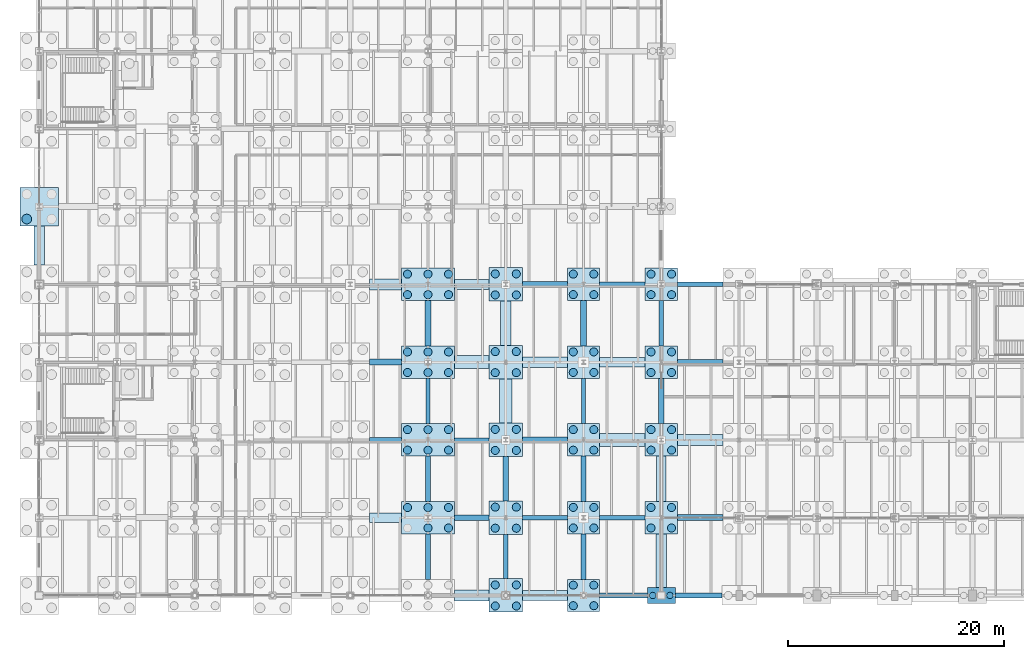
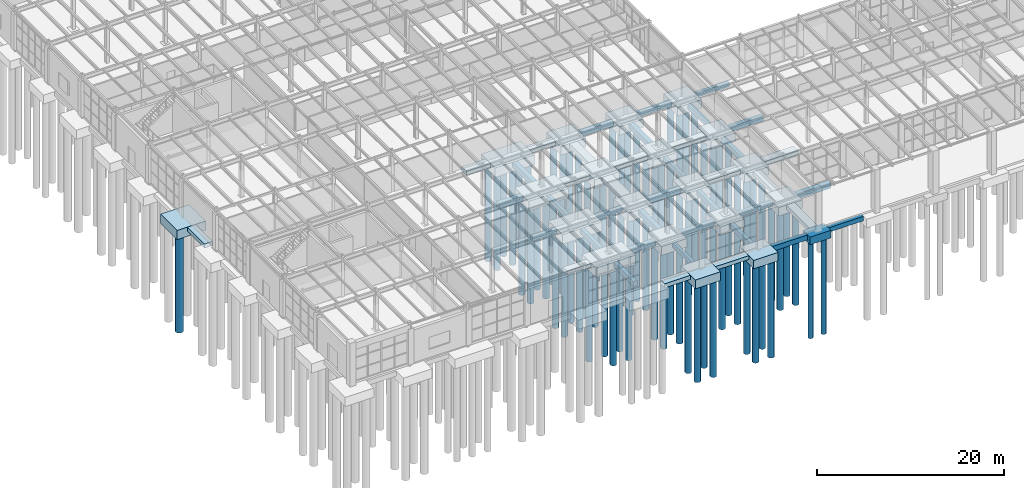
# One storey, part 2 of 293: 82 piles, 61 footings.
"""IFC4 building model written with IfcOpenShell, lengths in metres."""

from ifc_helpers import new_model, si_unit, direction, frame, origin, origin_2d, place, context, subcontext, project, spatial, rectangle, circle, extrude, material, material_profile, profile_set, type_object, element, save


model = new_model("IFC4")

# Units and contexts
model_context = context("Model", 3, precision=1e-05, world=origin(), true_north=direction((0.0, 1.0)))
body_context = subcontext(model_context, "Body", "Model", "MODEL_VIEW")
ifc_project = project(units=[si_unit("LENGTHUNIT", "METRE"), si_unit("AREAUNIT", "SQUARE_METRE"), si_unit("VOLUMEUNIT", "CUBIC_METRE"), si_unit("PLANEANGLEUNIT", "RADIAN"), si_unit("MASSUNIT", "GRAM", prefix="KILO")], contexts=[model_context])

# Site, building, storey
site_placement = place(None, origin())
site = spatial("IfcSite", under=ifc_project, at=site_placement, CompositionType="ELEMENT")
building_placement = place(site_placement, origin())
building = spatial("IfcBuilding", under=site, at=building_placement, Name="Kemerveld Promenade Tramway Depot", CompositionType="ELEMENT")
storey_placement = place(building_placement, origin())
storey = spatial("IfcBuildingStorey", under=building, at=storey_placement, Name="L00", CompositionType="ELEMENT", Elevation=0.0)

# Footings
ifc_material = material(Name="Concrete C35/45", Category="concrete")
footing_type_1 = type_object("IfcFootingType", Name="FT-GB01", PredefinedType="FOOTING_BEAM", material=ifc_material)
footing_1_placement = place(storey_placement, frame((54.10009765625, 0.0, -0.949951171875), z_axis=(0.0, 0.0, 1.0), x_axis=(1.0, 0.0, 0.0)))
element("IfcFooting", 1, at=footing_1_placement, inside=storey, type_object=footing_type_1, Name="GBX-08-09-A", PredefinedType="FOOTING_BEAM", context=body_context, shape_type="SweptSolid", body=[
    extrude(rectangle(XDim=4.39990234375, YDim=0.5, at=origin_2d()), origin(), (0.0, 0.0, 1.0), 0.64990234375),
])
footing_2_placement = place(storey_placement, frame((40.050048828125, 7.199951171875, -0.949951171875), z_axis=(0.0, 0.0, 1.0), x_axis=(1.0, 0.0, 0.0)))
element("IfcFooting", 2, at=footing_2_placement, inside=storey, type_object=footing_type_1, Name="GBX-06-07-B", PredefinedType="FOOTING_BEAM", context=body_context, shape_type="SweptSolid", body=[
    extrude(rectangle(XDim=3.199951171875, YDim=0.5, at=origin_2d()), origin(), (0.0, 0.0, 1.0), 0.64990234375),
])
footing_3_placement = place(storey_placement, frame((61.199951171875, 21.60009765625, -0.949951171875), z_axis=(0.0, 0.0, 1.0), x_axis=(1.0, 0.0, 0.0)))
element("IfcFooting", 3, at=footing_3_placement, inside=storey, type_object=footing_type_1, Name="GBX-09-10-D", PredefinedType="FOOTING_BEAM", context=body_context, shape_type="SweptSolid", body=[
    extrude(rectangle(XDim=4.199951171875, YDim=0.5, at=origin_2d()), origin(), (0.0, 0.0, 1.0), 0.64990234375),
])
footing_4_placement = place(storey_placement, frame((46.824951171875, 28.800048828125, -0.949951171875), z_axis=(0.0, 0.0, 1.0), x_axis=(1.0, 0.0, 0.0)))
element("IfcFooting", 4, at=footing_4_placement, inside=storey, type_object=footing_type_1, Name="GBX-07-08-E", PredefinedType="FOOTING_BEAM", context=body_context, shape_type="SweptSolid", body=[
    extrude(rectangle(XDim=4.14990234375, YDim=0.5, at=origin_2d()), origin(), (0.0, 0.0, 1.0), 0.64990234375),
])
for number, where, z_axis, x_axis, name in (
    (5, (36.0, 3.60009765625, -0.949951171875), (0.0, 0.0, 1.0), (0.0, 1.0, 0.0), "GBY-06-A-B"),
    (6, (50.39990234375, 3.60009765625, -0.949951171875), (0.0, 0.0, 1.0), (0.0, 1.0, 0.0), "GBY-08-A-B"),
    (7, (57.60009765625, 18.0, -0.949951171875), (0.0, 0.0, 1.0), (0.0, 1.0, 0.0), "GBY-09-C-D"),
):
    element("IfcFooting", number, at=place(storey_placement, frame(where, z_axis=z_axis, x_axis=x_axis)), inside=storey, type_object=footing_type_1, Name=name, PredefinedType="FOOTING_BEAM", context=body_context, shape_type="SweptSolid", body=[
        extrude(rectangle(XDim=4.199951171875, YDim=0.5, at=origin_2d()), origin(), (0.0, 0.0, 1.0), 0.64990234375),
    ])
footing_type_2 = type_object("IfcFootingType", Name="FT-GB02", PredefinedType="FOOTING_BEAM", material=ifc_material)
footing_5_placement = place(storey_placement, frame((61.050048828125, 0.0, -0.900146484375), z_axis=(0.0, 0.0, 1.0), x_axis=(1.0, 0.0, 0.0)))
element("IfcFooting", 8, at=footing_5_placement, inside=storey, type_object=footing_type_2, Name="GBX-09-10-A", PredefinedType="FOOTING_BEAM", context=body_context, shape_type="SweptSolid", body=[
    extrude(rectangle(XDim=4.300048828125, YDim=0.449951171875, at=origin_2d()), origin(), (0.0, 0.0, 1.0), 0.60009765625),
])
footing_6_placement = place(storey_placement, frame((46.824951171875, 7.199951171875, -0.900146484375), z_axis=(0.0, 0.0, 1.0), x_axis=(1.0, 0.0, 0.0)))
element("IfcFooting", 9, at=footing_6_placement, inside=storey, type_object=footing_type_2, Name="GBX-07-08-B", PredefinedType="FOOTING_BEAM", context=body_context, shape_type="SweptSolid", body=[
    extrude(rectangle(XDim=4.14990234375, YDim=0.449951171875, at=origin_2d()), origin(), (0.0, 0.0, 1.0), 0.60009765625),
])
footing_7_placement = place(storey_placement, frame((32.0625, 14.39990234375, -0.900146484375), z_axis=(0.0, 0.0, 1.0), x_axis=(1.0, 0.0, 0.0)))
element("IfcFooting", 10, at=footing_7_placement, inside=storey, type_object=footing_type_2, Name="GBX-05-06-C", PredefinedType="FOOTING_BEAM", context=body_context, shape_type="SweptSolid", body=[
    extrude(rectangle(XDim=2.97509765625, YDim=0.449951171875, at=origin_2d()), origin(), (0.0, 0.0, 1.0), 0.60009765625),
])
for number, where, z_axis, x_axis, name in (
    (11, (54.0, 28.800048828125, -0.900146484375), (0.0, 0.0, 1.0), (1.0, 0.0, 0.0), "GBX-08-09-E"),
    (12, (36.0, 10.800048828125, -0.900146484375), (0.0, 0.0, 1.0), (0.0, 1.0, 0.0), "GBY-06-B-C"),
    (13, (50.39990234375, 10.800048828125, -0.900146484375), (0.0, 0.0, 1.0), (0.0, 1.0, 0.0), "GBY-08-B-C"),
    (14, (57.60009765625, 25.199951171875, -0.900146484375), (0.0, 0.0, 1.0), (0.0, 1.0, 0.0), "GBY-09-D-E"),
):
    element("IfcFooting", number, at=place(storey_placement, frame(where, z_axis=z_axis, x_axis=x_axis)), inside=storey, type_object=footing_type_2, Name=name, PredefinedType="FOOTING_BEAM", context=body_context, shape_type="SweptSolid", body=[
        extrude(rectangle(XDim=4.199951171875, YDim=0.449951171875, at=origin_2d()), origin(), (0.0, 0.0, 1.0), 0.60009765625),
    ])
footing_type_3 = type_object("IfcFootingType", Name="FT-GB03", PredefinedType="FOOTING_BEAM", material=ifc_material)
footing_8_placement = place(storey_placement, frame((54.0, 7.199951171875, -0.85009765625), z_axis=(0.0, 0.0, 1.0), x_axis=(1.0, 0.0, 0.0)))
element("IfcFooting", 15, at=footing_8_placement, inside=storey, type_object=footing_type_3, Name="GBX-08-09-B", PredefinedType="FOOTING_BEAM", context=body_context, shape_type="SweptSolid", body=[
    extrude(rectangle(XDim=4.199951171875, YDim=0.39990234375, at=origin_2d()), origin(), (0.0, 0.0, 1.0), 0.550048828125),
])
footing_9_placement = place(storey_placement, frame((40.050048828125, 14.39990234375, -0.85009765625), z_axis=(0.0, 0.0, 1.0), x_axis=(1.0, 0.0, 0.0)))
element("IfcFooting", 16, at=footing_9_placement, inside=storey, type_object=footing_type_3, Name="GBX-06-07-C", PredefinedType="FOOTING_BEAM", context=body_context, shape_type="SweptSolid", body=[
    extrude(rectangle(XDim=3.199951171875, YDim=0.39990234375, at=origin_2d()), origin(), (0.0, 0.0, 1.0), 0.550048828125),
])
for number, where, z_axis, x_axis, name in (
    (17, (61.199951171875, 28.800048828125, -0.85009765625), (0.0, 0.0, 1.0), (1.0, 0.0, 0.0), "GBX-09-10-E"),
    (18, (36.0, 18.0, -0.85009765625), (0.0, 0.0, 1.0), (0.0, 1.0, 0.0), "GBY-06-C-D"),
):
    element("IfcFooting", number, at=place(storey_placement, frame(where, z_axis=z_axis, x_axis=x_axis)), inside=storey, type_object=footing_type_3, Name=name, PredefinedType="FOOTING_BEAM", context=body_context, shape_type="SweptSolid", body=[
        extrude(rectangle(XDim=4.199951171875, YDim=0.39990234375, at=origin_2d()), origin(), (0.0, 0.0, 1.0), 0.550048828125),
    ])
footing_10_placement = place(storey_placement, frame((43.199951171875, 3.60009765625, -0.85009765625), z_axis=(0.0, 0.0, 1.0), x_axis=(0.0, 1.0, 0.0)))
element("IfcFooting", 19, at=footing_10_placement, inside=storey, type_object=footing_type_3, Name="GBY-07-A-B", PredefinedType="FOOTING_BEAM", context=body_context, shape_type="SweptSolid", body=[
    extrude(rectangle(XDim=4.10009765625, YDim=0.39990234375, at=origin_2d()), origin(), (0.0, 0.0, 1.0), 0.550048828125),
])
footing_11_placement = place(storey_placement, frame((50.39990234375, 18.0, -0.85009765625), z_axis=(0.0, 0.0, 1.0), x_axis=(0.0, 1.0, 0.0)))
element("IfcFooting", 20, at=footing_11_placement, inside=storey, type_object=footing_type_3, Name="GBY-08-C-D", PredefinedType="FOOTING_BEAM", context=body_context, shape_type="SweptSolid", body=[
    extrude(rectangle(XDim=4.199951171875, YDim=0.39990234375, at=origin_2d()), origin(), (0.0, 0.0, 1.0), 0.550048828125),
])
footing_type_4 = type_object("IfcFootingType", Name="FT-GB04", PredefinedType="FOOTING_BEAM", material=ifc_material)
footing_12_placement = place(storey_placement, frame((61.199951171875, 7.199951171875, -1.0), z_axis=(0.0, 0.0, 1.0), x_axis=(1.0, 0.0, 0.0)))
element("IfcFooting", 21, at=footing_12_placement, inside=storey, type_object=footing_type_4, Name="GBX-09-10-B", PredefinedType="FOOTING_BEAM", context=body_context, shape_type="SweptSolid", body=[
    extrude(rectangle(XDim=4.199951171875, YDim=0.550048828125, at=origin_2d()), origin(), (0.0, 0.0, 1.0), 0.699951171875),
])
footing_13_placement = place(storey_placement, frame((46.824951171875, 14.39990234375, -1.0), z_axis=(0.0, 0.0, 1.0), x_axis=(1.0, 0.0, 0.0)))
element("IfcFooting", 22, at=footing_13_placement, inside=storey, type_object=footing_type_4, Name="GBX-07-08-C", PredefinedType="FOOTING_BEAM", context=body_context, shape_type="SweptSolid", body=[
    extrude(rectangle(XDim=4.14990234375, YDim=0.550048828125, at=origin_2d()), origin(), (0.0, 0.0, 1.0), 0.699951171875),
])
footing_14_placement = place(storey_placement, frame((32.0625, 21.60009765625, -1.0), z_axis=(0.0, 0.0, 1.0), x_axis=(1.0, 0.0, 0.0)))
element("IfcFooting", 23, at=footing_14_placement, inside=storey, type_object=footing_type_4, Name="GBX-05-06-D", PredefinedType="FOOTING_BEAM", context=body_context, shape_type="SweptSolid", body=[
    extrude(rectangle(XDim=2.97509765625, YDim=0.550048828125, at=origin_2d()), origin(), (0.0, 0.0, 1.0), 0.699951171875),
])
footing_15_placement = place(storey_placement, frame((36.0, 25.199951171875, -1.0), z_axis=(0.0, 0.0, 1.0), x_axis=(0.0, 1.0, 0.0)))
element("IfcFooting", 24, at=footing_15_placement, inside=storey, type_object=footing_type_4, Name="GBY-06-D-E", PredefinedType="FOOTING_BEAM", context=body_context, shape_type="SweptSolid", body=[
    extrude(rectangle(XDim=4.199951171875, YDim=0.550048828125, at=origin_2d()), origin(), (0.0, 0.0, 1.0), 0.699951171875),
])
footing_16_placement = place(storey_placement, frame((43.199951171875, 10.800048828125, -1.0), z_axis=(0.0, 0.0, 1.0), x_axis=(0.0, 1.0, 0.0)))
element("IfcFooting", 25, at=footing_16_placement, inside=storey, type_object=footing_type_4, Name="GBY-07-B-C", PredefinedType="FOOTING_BEAM", context=body_context, shape_type="SweptSolid", body=[
    extrude(rectangle(XDim=4.10009765625, YDim=0.550048828125, at=origin_2d()), origin(), (0.0, 0.0, 1.0), 0.699951171875),
])
footing_17_placement = place(storey_placement, frame((50.39990234375, 25.199951171875, -1.0), z_axis=(0.0, 0.0, 1.0), x_axis=(0.0, 1.0, 0.0)))
element("IfcFooting", 26, at=footing_17_placement, inside=storey, type_object=footing_type_4, Name="GBY-08-D-E", PredefinedType="FOOTING_BEAM", context=body_context, shape_type="SweptSolid", body=[
    extrude(rectangle(XDim=4.199951171875, YDim=0.550048828125, at=origin_2d()), origin(), (0.0, 0.0, 1.0), 0.699951171875),
])
footing_type_5 = type_object("IfcFootingType", Name="FT-PC03", PredefinedType="PILE_CAP", material=ifc_material)
footing_18_placement = place(storey_placement, frame((0.0, 36.0, -1.5), z_axis=(0.0, 0.0, 1.0), x_axis=(1.0, 0.0, 0.0)))
element("IfcFooting", 27, at=footing_18_placement, inside=storey, type_object=footing_type_5, Name="FT-01-F", PredefinedType="PILE_CAP", context=body_context, shape_type="SweptSolid", body=[
    extrude(rectangle(XDim=3.550048828125, YDim=3.550048828125, at=origin_2d()), origin(), (0.0, 0.0, 1.0), 1.199951171875),
])
footing_type_6 = type_object("IfcFootingType", Name="FT-PC04", PredefinedType="PILE_CAP", material=ifc_material)
for number, where, z_axis, x_axis, name in (
    (28, (43.199951171875, 0.0, -1.449951171875), (0.0, 0.0, 1.0), (1.0, 0.0, 0.0), "FT-07-A"),
    (29, (43.199951171875, 7.199951171875, -1.449951171875), (0.0, 0.0, 1.0), (1.0, 0.0, 0.0), "FT-07-B"),
    (30, (43.199951171875, 14.39990234375, -1.449951171875), (0.0, 0.0, 1.0), (1.0, 0.0, 0.0), "FT-07-C"),
    (31, (43.199951171875, 21.60009765625, -1.449951171875), (0.0, 0.0, 1.0), (1.0, 0.0, 0.0), "FT-07-D"),
    (32, (43.199951171875, 28.800048828125, -1.449951171875), (0.0, 0.0, 1.0), (1.0, 0.0, 0.0), "FT-07-E"),
):
    element("IfcFooting", number, at=place(storey_placement, frame(where, z_axis=z_axis, x_axis=x_axis)), inside=storey, type_object=footing_type_6, Name=name, PredefinedType="PILE_CAP", context=body_context, shape_type="SweptSolid", body=[
        extrude(rectangle(XDim=3.10009765625, YDim=3.10009765625, at=origin_2d()), origin(), (0.0, 0.0, 1.0), 1.14990234375),
    ])
footing_type_7 = type_object("IfcFootingType", Name="FT-PC05", PredefinedType="PILE_CAP", material=ifc_material)
for number, where, z_axis, x_axis, name in (
    (33, (50.39990234375, 0.0, -1.400146484375), (0.0, 0.0, 1.0), (1.0, 0.0, 0.0), "FT-08-A"),
    (34, (50.39990234375, 7.199951171875, -1.400146484375), (0.0, 0.0, 1.0), (1.0, 0.0, 0.0), "FT-08-B"),
    (35, (50.39990234375, 14.39990234375, -1.400146484375), (0.0, 0.0, 1.0), (1.0, 0.0, 0.0), "FT-08-C"),
    (36, (50.39990234375, 21.60009765625, -1.400146484375), (0.0, 0.0, 1.0), (1.0, 0.0, 0.0), "FT-08-D"),
    (37, (50.39990234375, 28.800048828125, -1.400146484375), (0.0, 0.0, 1.0), (1.0, 0.0, 0.0), "FT-08-E"),
    (38, (57.60009765625, 7.199951171875, -1.400146484375), (0.0, 0.0, 1.0), (1.0, 0.0, 0.0), "FT-09-B"),
    (39, (57.60009765625, 14.39990234375, -1.400146484375), (0.0, 0.0, 1.0), (1.0, 0.0, 0.0), "FT-09-C"),
    (40, (57.60009765625, 21.60009765625, -1.400146484375), (0.0, 0.0, 1.0), (1.0, 0.0, 0.0), "FT-09-D"),
    (41, (57.60009765625, 28.800048828125, -1.400146484375), (0.0, 0.0, 1.0), (1.0, 0.0, 0.0), "FT-09-E"),
):
    element("IfcFooting", number, at=place(storey_placement, frame(where, z_axis=z_axis, x_axis=x_axis)), inside=storey, type_object=footing_type_7, Name=name, PredefinedType="PILE_CAP", context=body_context, shape_type="SweptSolid", body=[
        extrude(rectangle(XDim=3.0, YDim=3.0, at=origin_2d()), origin(), (0.0, 0.0, 1.0), 1.10009765625),
    ])
footing_type_8 = type_object("IfcFootingType", Name="FT-PC08", PredefinedType="PILE_CAP", material=ifc_material)
footing_19_placement = place(storey_placement, frame((57.60009765625, 0.0, -1.300048828125), z_axis=(0.0, 0.0, 1.0), x_axis=(1.0, 0.0, 0.0)))
element("IfcFooting", 42, at=footing_19_placement, inside=storey, type_object=footing_type_8, Name="FT-09-A", PredefinedType="PILE_CAP", context=body_context, shape_type="SweptSolid", body=[
    extrude(rectangle(XDim=2.60009765625, YDim=1.5, at=origin_2d()), origin(), (0.0, 0.0, 1.0), 1.0),
])
footing_type_9 = type_object("IfcFootingType", Name="FT-PC10", PredefinedType="PILE_CAP", material=ifc_material)
for number, where, z_axis, x_axis, name in (
    (43, (36.0, 7.199951171875, -1.550048828125), (0.0, 0.0, 1.0), (1.0, 0.0, 0.0), "FT-06-B"),
    (44, (36.0, 14.39990234375, -1.550048828125), (0.0, 0.0, 1.0), (1.0, 0.0, 0.0), "FT-06-C"),
    (45, (36.0, 21.60009765625, -1.550048828125), (0.0, 0.0, 1.0), (1.0, 0.0, 0.0), "FT-06-D"),
    (46, (36.0, 28.800048828125, -1.550048828125), (0.0, 0.0, 1.0), (1.0, 0.0, 0.0), "FT-06-E"),
):
    element("IfcFooting", number, at=place(storey_placement, frame(where, z_axis=z_axis, x_axis=x_axis)), inside=storey, type_object=footing_type_9, Name=name, PredefinedType="PILE_CAP", context=body_context, shape_type="SweptSolid", body=[
        extrude(rectangle(XDim=4.89990234375, YDim=3.0, at=origin_2d()), origin(), (0.0, 0.0, 1.0), 1.25),
    ])
footing_type_10 = type_object("IfcFootingType", Name="FT-SF01", PredefinedType="STRIP_FOOTING", material=ifc_material)
footing_20_placement = place(storey_placement, frame((54.0, 14.39990234375, -0.900146484375), z_axis=(0.0, 0.0, 1.0), x_axis=(1.0, 0.0, 0.0)))
element("IfcFooting", 47, at=footing_20_placement, inside=storey, type_object=footing_type_10, Name="GBX-08-09-C", PredefinedType="STRIP_FOOTING", context=body_context, shape_type="SweptSolid", body=[
    extrude(rectangle(XDim=4.199951171875, YDim=1.199951171875, at=origin_2d()), origin(), (0.0, 0.0, 1.0), 0.60009765625),
])
footing_21_placement = place(storey_placement, frame((40.050048828125, 21.60009765625, -0.900146484375), z_axis=(0.0, 0.0, 1.0), x_axis=(1.0, 0.0, 0.0)))
element("IfcFooting", 48, at=footing_21_placement, inside=storey, type_object=footing_type_10, Name="GBX-06-07-D", PredefinedType="STRIP_FOOTING", context=body_context, shape_type="SweptSolid", body=[
    extrude(rectangle(XDim=3.199951171875, YDim=1.199951171875, at=origin_2d()), origin(), (0.0, 0.0, 1.0), 0.60009765625),
])
footing_22_placement = place(storey_placement, frame((43.199951171875, 18.0, -0.900146484375), z_axis=(0.0, 0.0, 1.0), x_axis=(0.0, 1.0, 0.0)))
element("IfcFooting", 49, at=footing_22_placement, inside=storey, type_object=footing_type_10, Name="GBY-07-C-D", PredefinedType="STRIP_FOOTING", context=body_context, shape_type="SweptSolid", body=[
    extrude(rectangle(XDim=4.10009765625, YDim=1.199951171875, at=origin_2d()), origin(), (0.0, 0.0, 1.0), 0.60009765625),
])
footing_type_11 = type_object("IfcFootingType", Name="FT-SF02", PredefinedType="STRIP_FOOTING", material=ifc_material)
footing_23_placement = place(storey_placement, frame((40.050048828125, 0.0, -0.85009765625), z_axis=(0.0, 0.0, 1.0), x_axis=(1.0, 0.0, 0.0)))
element("IfcFooting", 50, at=footing_23_placement, inside=storey, type_object=footing_type_11, Name="GBX-06-07-A", PredefinedType="STRIP_FOOTING", context=body_context, shape_type="SweptSolid", body=[
    extrude(rectangle(XDim=3.199951171875, YDim=1.0, at=origin_2d()), origin(), (0.0, 0.0, 1.0), 0.550048828125),
])
footing_24_placement = place(storey_placement, frame((61.199951171875, 14.39990234375, -0.85009765625), z_axis=(0.0, 0.0, 1.0), x_axis=(1.0, 0.0, 0.0)))
element("IfcFooting", 51, at=footing_24_placement, inside=storey, type_object=footing_type_11, Name="GBX-09-10-C", PredefinedType="STRIP_FOOTING", context=body_context, shape_type="SweptSolid", body=[
    extrude(rectangle(XDim=4.199951171875, YDim=1.0, at=origin_2d()), origin(), (0.0, 0.0, 1.0), 0.550048828125),
])
footing_25_placement = place(storey_placement, frame((46.824951171875, 21.60009765625, -0.85009765625), z_axis=(0.0, 0.0, 1.0), x_axis=(1.0, 0.0, 0.0)))
element("IfcFooting", 52, at=footing_25_placement, inside=storey, type_object=footing_type_11, Name="GBX-07-08-D", PredefinedType="STRIP_FOOTING", context=body_context, shape_type="SweptSolid", body=[
    extrude(rectangle(XDim=4.14990234375, YDim=1.0, at=origin_2d()), origin(), (0.0, 0.0, 1.0), 0.550048828125),
])
footing_26_placement = place(storey_placement, frame((32.0625, 28.800048828125, -0.85009765625), z_axis=(0.0, 0.0, 1.0), x_axis=(1.0, 0.0, 0.0)))
element("IfcFooting", 53, at=footing_26_placement, inside=storey, type_object=footing_type_11, Name="GBX-05-06-E", PredefinedType="STRIP_FOOTING", context=body_context, shape_type="SweptSolid", body=[
    extrude(rectangle(XDim=2.97509765625, YDim=1.0, at=origin_2d()), origin(), (0.0, 0.0, 1.0), 0.550048828125),
])
footing_27_placement = place(storey_placement, frame((0.0, 32.39990234375, -0.85009765625), z_axis=(0.0, 0.0, 1.0), x_axis=(0.0, 1.0, 0.0)))
element("IfcFooting", 54, at=footing_27_placement, inside=storey, type_object=footing_type_11, Name="GBY-01-E-F", PredefinedType="STRIP_FOOTING", context=body_context, shape_type="SweptSolid", body=[
    extrude(rectangle(XDim=3.64990234375, YDim=1.0, at=origin_2d()), origin(), (0.0, 0.0, 1.0), 0.550048828125),
])
footing_28_placement = place(storey_placement, frame((43.199951171875, 25.199951171875, -0.85009765625), z_axis=(0.0, 0.0, 1.0), x_axis=(0.0, 1.0, 0.0)))
element("IfcFooting", 55, at=footing_28_placement, inside=storey, type_object=footing_type_11, Name="GBY-07-D-E", PredefinedType="STRIP_FOOTING", context=body_context, shape_type="SweptSolid", body=[
    extrude(rectangle(XDim=4.10009765625, YDim=1.0, at=origin_2d()), origin(), (0.0, 0.0, 1.0), 0.550048828125),
])
footing_29_placement = place(storey_placement, frame((57.60009765625, 3.22509765625, -0.85009765625), z_axis=(0.0, 0.0, 1.0), x_axis=(0.0, 1.0, 0.0)))
element("IfcFooting", 56, at=footing_29_placement, inside=storey, type_object=footing_type_11, Name="GBY-09-A-B", PredefinedType="STRIP_FOOTING", context=body_context, shape_type="SweptSolid", body=[
    extrude(rectangle(XDim=4.949951171875, YDim=1.0, at=origin_2d()), origin(), (0.0, 0.0, 1.0), 0.550048828125),
])
footing_type_12 = type_object("IfcFootingType", Name="FT-SF03", PredefinedType="STRIP_FOOTING", material=ifc_material)
footing_30_placement = place(storey_placement, frame((46.824951171875, 0.0, -0.800048828125), z_axis=(0.0, 0.0, 1.0), x_axis=(1.0, 0.0, 0.0)))
element("IfcFooting", 57, at=footing_30_placement, inside=storey, type_object=footing_type_12, Name="GBX-07-08-A", PredefinedType="STRIP_FOOTING", context=body_context, shape_type="SweptSolid", body=[
    extrude(rectangle(XDim=4.14990234375, YDim=0.89990234375, at=origin_2d()), origin(), (0.0, 0.0, 1.0), 0.5),
])
footing_31_placement = place(storey_placement, frame((32.0625, 7.199951171875, -0.800048828125), z_axis=(0.0, 0.0, 1.0), x_axis=(1.0, 0.0, 0.0)))
element("IfcFooting", 58, at=footing_31_placement, inside=storey, type_object=footing_type_12, Name="GBX-05-06-B", PredefinedType="STRIP_FOOTING", context=body_context, shape_type="SweptSolid", body=[
    extrude(rectangle(XDim=2.97509765625, YDim=0.89990234375, at=origin_2d()), origin(), (0.0, 0.0, 1.0), 0.5),
])
footing_32_placement = place(storey_placement, frame((54.0, 21.60009765625, -0.800048828125), z_axis=(0.0, 0.0, 1.0), x_axis=(1.0, 0.0, 0.0)))
element("IfcFooting", 59, at=footing_32_placement, inside=storey, type_object=footing_type_12, Name="GBX-08-09-D", PredefinedType="STRIP_FOOTING", context=body_context, shape_type="SweptSolid", body=[
    extrude(rectangle(XDim=4.199951171875, YDim=0.89990234375, at=origin_2d()), origin(), (0.0, 0.0, 1.0), 0.5),
])
footing_33_placement = place(storey_placement, frame((40.050048828125, 28.800048828125, -0.800048828125), z_axis=(0.0, 0.0, 1.0), x_axis=(1.0, 0.0, 0.0)))
element("IfcFooting", 60, at=footing_33_placement, inside=storey, type_object=footing_type_12, Name="GBX-06-07-E", PredefinedType="STRIP_FOOTING", context=body_context, shape_type="SweptSolid", body=[
    extrude(rectangle(XDim=3.199951171875, YDim=0.89990234375, at=origin_2d()), origin(), (0.0, 0.0, 1.0), 0.5),
])
footing_34_placement = place(storey_placement, frame((57.60009765625, 10.800048828125, -0.800048828125), z_axis=(0.0, 0.0, 1.0), x_axis=(0.0, 1.0, 0.0)))
element("IfcFooting", 61, at=footing_34_placement, inside=storey, type_object=footing_type_12, Name="GBY-09-B-C", PredefinedType="STRIP_FOOTING", context=body_context, shape_type="SweptSolid", body=[
    extrude(rectangle(XDim=4.199951171875, YDim=0.89990234375, at=origin_2d()), origin(), (0.0, 0.0, 1.0), 0.5),
])

# Piles
ifc_material_profile_1 = material_profile(ifc_material, circle(Radius=0.300048828125, at=origin_2d()), Name="PILE-D600")
ifc_profile_set_1 = profile_set([ifc_material_profile_1], Name="Concrete C35/45")
pile_type_1 = type_object("IfcPileType", Name="PL-BOR-600", PredefinedType="BORED", material=ifc_profile_set_1)
for number, where, z_axis, x_axis, name in (
    (62, (56.800048828125, 0.0, -1.199951171875), (0.0, 0.0, -1.0), (1.0, 0.0, 0.0), "PIL-09-A-1"),
    (63, (58.39990234375, 0.0, -1.199951171875), (0.0, 0.0, -1.0), (1.0, 0.0, 0.0), "PIL-09-A-2"),
):
    element("IfcPile", number, at=place(storey_placement, frame(where, z_axis=z_axis, x_axis=x_axis)), inside=storey, type_object=pile_type_1, Name=name, PredefinedType="BORED", context=body_context, shape_type="SweptSolid", body=[
        extrude(circle(Radius=0.300048828125, at=origin_2d()), origin(), (0.0, 0.0, 1.0), 12.800048828125),
    ])
ifc_material_profile_2 = material_profile(ifc_material, circle(Radius=0.375, at=origin_2d()), Name="PILE-D750")
ifc_profile_set_2 = profile_set([ifc_material_profile_2], Name="Concrete C35/45")
pile_type_2 = type_object("IfcPileType", Name="PL-BOR-750", PredefinedType="BORED", material=ifc_profile_set_2)
for number, where, z_axis, x_axis, name in (
    (64, (36.0, 6.25, -1.449951171875), (0.0, 0.0, -1.0), (1.0, 0.0, 0.0), "PIL-06-B-2"),
    (65, (37.89990234375, 6.25, -1.449951171875), (0.0, 0.0, -1.0), (1.0, 0.0, 0.0), "PIL-06-B-3"),
    (66, (34.10009765625, 8.14990234375, -1.449951171875), (0.0, 0.0, -1.0), (1.0, 0.0, 0.0), "PIL-06-B-4"),
    (67, (36.0, 8.14990234375, -1.449951171875), (0.0, 0.0, -1.0), (1.0, 0.0, 0.0), "PIL-06-B-5"),
    (68, (37.89990234375, 8.14990234375, -1.449951171875), (0.0, 0.0, -1.0), (1.0, 0.0, 0.0), "PIL-06-B-6"),
    (69, (34.10009765625, 13.449951171875, -1.449951171875), (0.0, 0.0, -1.0), (1.0, 0.0, 0.0), "PIL-06-C-1"),
    (70, (36.0, 13.449951171875, -1.449951171875), (0.0, 0.0, -1.0), (1.0, 0.0, 0.0), "PIL-06-C-2"),
    (71, (37.89990234375, 13.449951171875, -1.449951171875), (0.0, 0.0, -1.0), (1.0, 0.0, 0.0), "PIL-06-C-3"),
    (72, (34.10009765625, 15.35009765625, -1.449951171875), (0.0, 0.0, -1.0), (1.0, 0.0, 0.0), "PIL-06-C-4"),
    (73, (36.0, 15.35009765625, -1.449951171875), (0.0, 0.0, -1.0), (1.0, 0.0, 0.0), "PIL-06-C-5"),
    (74, (37.89990234375, 15.35009765625, -1.449951171875), (0.0, 0.0, -1.0), (1.0, 0.0, 0.0), "PIL-06-C-6"),
    (75, (34.10009765625, 20.64990234375, -1.449951171875), (0.0, 0.0, -1.0), (1.0, 0.0, 0.0), "PIL-06-D-1"),
    (76, (36.0, 20.64990234375, -1.449951171875), (0.0, 0.0, -1.0), (1.0, 0.0, 0.0), "PIL-06-D-2"),
    (77, (37.89990234375, 20.64990234375, -1.449951171875), (0.0, 0.0, -1.0), (1.0, 0.0, 0.0), "PIL-06-D-3"),
    (78, (34.10009765625, 22.550048828125, -1.449951171875), (0.0, 0.0, -1.0), (1.0, 0.0, 0.0), "PIL-06-D-4"),
    (79, (36.0, 22.550048828125, -1.449951171875), (0.0, 0.0, -1.0), (1.0, 0.0, 0.0), "PIL-06-D-5"),
    (80, (37.89990234375, 22.550048828125, -1.449951171875), (0.0, 0.0, -1.0), (1.0, 0.0, 0.0), "PIL-06-D-6"),
    (81, (34.10009765625, 27.85009765625, -1.449951171875), (0.0, 0.0, -1.0), (1.0, 0.0, 0.0), "PIL-06-E-1"),
    (82, (36.0, 27.85009765625, -1.449951171875), (0.0, 0.0, -1.0), (1.0, 0.0, 0.0), "PIL-06-E-2"),
    (83, (37.89990234375, 27.85009765625, -1.449951171875), (0.0, 0.0, -1.0), (1.0, 0.0, 0.0), "PIL-06-E-3"),
    (84, (34.10009765625, 29.75, -1.449951171875), (0.0, 0.0, -1.0), (1.0, 0.0, 0.0), "PIL-06-E-4"),
    (85, (36.0, 29.75, -1.449951171875), (0.0, 0.0, -1.0), (1.0, 0.0, 0.0), "PIL-06-E-5"),
    (86, (37.89990234375, 29.75, -1.449951171875), (0.0, 0.0, -1.0), (1.0, 0.0, 0.0), "PIL-06-E-6"),
):
    element("IfcPile", number, at=place(storey_placement, frame(where, z_axis=z_axis, x_axis=x_axis)), inside=storey, type_object=pile_type_2, Name=name, PredefinedType="BORED", context=body_context, shape_type="SweptSolid", body=[
        extrude(circle(Radius=0.375, at=origin_2d()), origin(), (0.0, 0.0, 1.0), 12.550048828125),
    ])
for number, where, z_axis, x_axis, name in (
    (87, (42.22509765625, -0.97509765625, -1.35009765625), (0.0, 0.0, -1.0), (1.0, 0.0, 0.0), "PIL-07-A-1"),
    (88, (44.175048828125, -0.97509765625, -1.35009765625), (0.0, 0.0, -1.0), (1.0, 0.0, 0.0), "PIL-07-A-2"),
    (89, (42.22509765625, 0.97509765625, -1.35009765625), (0.0, 0.0, -1.0), (1.0, 0.0, 0.0), "PIL-07-A-3"),
    (90, (44.175048828125, 0.97509765625, -1.35009765625), (0.0, 0.0, -1.0), (1.0, 0.0, 0.0), "PIL-07-A-4"),
    (91, (42.22509765625, 6.22509765625, -1.35009765625), (0.0, 0.0, -1.0), (1.0, 0.0, 0.0), "PIL-07-B-1"),
    (92, (44.175048828125, 6.22509765625, -1.35009765625), (0.0, 0.0, -1.0), (1.0, 0.0, 0.0), "PIL-07-B-2"),
    (93, (42.22509765625, 8.175048828125, -1.35009765625), (0.0, 0.0, -1.0), (1.0, 0.0, 0.0), "PIL-07-B-3"),
    (94, (44.175048828125, 8.175048828125, -1.35009765625), (0.0, 0.0, -1.0), (1.0, 0.0, 0.0), "PIL-07-B-4"),
    (95, (42.22509765625, 13.425048828125, -1.35009765625), (0.0, 0.0, -1.0), (1.0, 0.0, 0.0), "PIL-07-C-1"),
    (96, (44.175048828125, 13.425048828125, -1.35009765625), (0.0, 0.0, -1.0), (1.0, 0.0, 0.0), "PIL-07-C-2"),
    (97, (42.22509765625, 15.375, -1.35009765625), (0.0, 0.0, -1.0), (1.0, 0.0, 0.0), "PIL-07-C-3"),
    (98, (44.175048828125, 15.375, -1.35009765625), (0.0, 0.0, -1.0), (1.0, 0.0, 0.0), "PIL-07-C-4"),
    (99, (42.22509765625, 20.625, -1.35009765625), (0.0, 0.0, -1.0), (1.0, 0.0, 0.0), "PIL-07-D-1"),
    (100, (44.175048828125, 20.625, -1.35009765625), (0.0, 0.0, -1.0), (1.0, 0.0, 0.0), "PIL-07-D-2"),
    (101, (42.22509765625, 22.574951171875, -1.35009765625), (0.0, 0.0, -1.0), (1.0, 0.0, 0.0), "PIL-07-D-3"),
    (102, (44.175048828125, 22.574951171875, -1.35009765625), (0.0, 0.0, -1.0), (1.0, 0.0, 0.0), "PIL-07-D-4"),
    (103, (42.22509765625, 27.824951171875, -1.35009765625), (0.0, 0.0, -1.0), (1.0, 0.0, 0.0), "PIL-07-E-1"),
    (104, (44.175048828125, 27.824951171875, -1.35009765625), (0.0, 0.0, -1.0), (1.0, 0.0, 0.0), "PIL-07-E-2"),
    (105, (42.22509765625, 29.77490234375, -1.35009765625), (0.0, 0.0, -1.0), (1.0, 0.0, 0.0), "PIL-07-E-3"),
    (106, (44.175048828125, 29.77490234375, -1.35009765625), (0.0, 0.0, -1.0), (1.0, 0.0, 0.0), "PIL-07-E-4"),
):
    element("IfcPile", number, at=place(storey_placement, frame(where, z_axis=z_axis, x_axis=x_axis)), inside=storey, type_object=pile_type_2, Name=name, PredefinedType="BORED", context=body_context, shape_type="SweptSolid", body=[
        extrude(circle(Radius=0.375, at=origin_2d()), origin(), (0.0, 0.0, 1.0), 12.64990234375),
    ])
for number, where, z_axis, x_axis, name in (
    (107, (49.449951171875, -0.949951171875, -1.300048828125), (0.0, 0.0, -1.0), (1.0, 0.0, 0.0), "PIL-08-A-1"),
    (108, (51.35009765625, -0.949951171875, -1.300048828125), (0.0, 0.0, -1.0), (1.0, 0.0, 0.0), "PIL-08-A-2"),
    (109, (49.449951171875, 0.949951171875, -1.300048828125), (0.0, 0.0, -1.0), (1.0, 0.0, 0.0), "PIL-08-A-3"),
    (110, (51.35009765625, 0.949951171875, -1.300048828125), (0.0, 0.0, -1.0), (1.0, 0.0, 0.0), "PIL-08-A-4"),
    (111, (49.449951171875, 6.25, -1.300048828125), (0.0, 0.0, -1.0), (1.0, 0.0, 0.0), "PIL-08-B-1"),
    (112, (51.35009765625, 6.25, -1.300048828125), (0.0, 0.0, -1.0), (1.0, 0.0, 0.0), "PIL-08-B-2"),
    (113, (49.449951171875, 8.14990234375, -1.300048828125), (0.0, 0.0, -1.0), (1.0, 0.0, 0.0), "PIL-08-B-3"),
    (114, (51.35009765625, 8.14990234375, -1.300048828125), (0.0, 0.0, -1.0), (1.0, 0.0, 0.0), "PIL-08-B-4"),
    (115, (49.449951171875, 13.449951171875, -1.300048828125), (0.0, 0.0, -1.0), (1.0, 0.0, 0.0), "PIL-08-C-1"),
    (116, (51.35009765625, 13.449951171875, -1.300048828125), (0.0, 0.0, -1.0), (1.0, 0.0, 0.0), "PIL-08-C-2"),
    (117, (49.449951171875, 15.35009765625, -1.300048828125), (0.0, 0.0, -1.0), (1.0, 0.0, 0.0), "PIL-08-C-3"),
    (118, (51.35009765625, 15.35009765625, -1.300048828125), (0.0, 0.0, -1.0), (1.0, 0.0, 0.0), "PIL-08-C-4"),
    (119, (49.449951171875, 20.64990234375, -1.300048828125), (0.0, 0.0, -1.0), (1.0, 0.0, 0.0), "PIL-08-D-1"),
    (120, (51.35009765625, 20.64990234375, -1.300048828125), (0.0, 0.0, -1.0), (1.0, 0.0, 0.0), "PIL-08-D-2"),
    (121, (49.449951171875, 22.550048828125, -1.300048828125), (0.0, 0.0, -1.0), (1.0, 0.0, 0.0), "PIL-08-D-3"),
    (122, (51.35009765625, 22.550048828125, -1.300048828125), (0.0, 0.0, -1.0), (1.0, 0.0, 0.0), "PIL-08-D-4"),
    (123, (49.449951171875, 27.85009765625, -1.300048828125), (0.0, 0.0, -1.0), (1.0, 0.0, 0.0), "PIL-08-E-1"),
    (124, (51.35009765625, 27.85009765625, -1.300048828125), (0.0, 0.0, -1.0), (1.0, 0.0, 0.0), "PIL-08-E-2"),
    (125, (49.449951171875, 29.75, -1.300048828125), (0.0, 0.0, -1.0), (1.0, 0.0, 0.0), "PIL-08-E-3"),
    (126, (51.35009765625, 29.75, -1.300048828125), (0.0, 0.0, -1.0), (1.0, 0.0, 0.0), "PIL-08-E-4"),
    (127, (56.64990234375, 6.25, -1.300048828125), (0.0, 0.0, -1.0), (1.0, 0.0, 0.0), "PIL-09-B-1"),
    (128, (58.550048828125, 6.25, -1.300048828125), (0.0, 0.0, -1.0), (1.0, 0.0, 0.0), "PIL-09-B-2"),
    (129, (56.64990234375, 8.14990234375, -1.300048828125), (0.0, 0.0, -1.0), (1.0, 0.0, 0.0), "PIL-09-B-3"),
    (130, (58.550048828125, 8.14990234375, -1.300048828125), (0.0, 0.0, -1.0), (1.0, 0.0, 0.0), "PIL-09-B-4"),
    (131, (56.64990234375, 13.449951171875, -1.300048828125), (0.0, 0.0, -1.0), (1.0, 0.0, 0.0), "PIL-09-C-1"),
    (132, (58.550048828125, 13.449951171875, -1.300048828125), (0.0, 0.0, -1.0), (1.0, 0.0, 0.0), "PIL-09-C-2"),
    (133, (56.64990234375, 15.35009765625, -1.300048828125), (0.0, 0.0, -1.0), (1.0, 0.0, 0.0), "PIL-09-C-3"),
    (134, (58.550048828125, 15.35009765625, -1.300048828125), (0.0, 0.0, -1.0), (1.0, 0.0, 0.0), "PIL-09-C-4"),
    (135, (56.64990234375, 20.64990234375, -1.300048828125), (0.0, 0.0, -1.0), (1.0, 0.0, 0.0), "PIL-09-D-1"),
    (136, (58.550048828125, 20.64990234375, -1.300048828125), (0.0, 0.0, -1.0), (1.0, 0.0, 0.0), "PIL-09-D-2"),
    (137, (56.64990234375, 22.550048828125, -1.300048828125), (0.0, 0.0, -1.0), (1.0, 0.0, 0.0), "PIL-09-D-3"),
    (138, (58.550048828125, 22.550048828125, -1.300048828125), (0.0, 0.0, -1.0), (1.0, 0.0, 0.0), "PIL-09-D-4"),
    (139, (56.64990234375, 27.85009765625, -1.300048828125), (0.0, 0.0, -1.0), (1.0, 0.0, 0.0), "PIL-09-E-1"),
    (140, (58.550048828125, 27.85009765625, -1.300048828125), (0.0, 0.0, -1.0), (1.0, 0.0, 0.0), "PIL-09-E-2"),
    (141, (56.64990234375, 29.75, -1.300048828125), (0.0, 0.0, -1.0), (1.0, 0.0, 0.0), "PIL-09-E-3"),
    (142, (58.550048828125, 29.75, -1.300048828125), (0.0, 0.0, -1.0), (1.0, 0.0, 0.0), "PIL-09-E-4"),
):
    element("IfcPile", number, at=place(storey_placement, frame(where, z_axis=z_axis, x_axis=x_axis)), inside=storey, type_object=pile_type_2, Name=name, PredefinedType="BORED", context=body_context, shape_type="SweptSolid", body=[
        extrude(circle(Radius=0.375, at=origin_2d()), origin(), (0.0, 0.0, 1.0), 12.699951171875),
    ])
ifc_material_profile_3 = material_profile(ifc_material, circle(Radius=0.449951171875, at=origin_2d()), Name="PILE-D900")
ifc_profile_set_3 = profile_set([ifc_material_profile_3], Name="Concrete C35/45")
pile_type_3 = type_object("IfcPileType", Name="PL-BOR-900", PredefinedType="BORED", material=ifc_profile_set_3)
pile_placement = place(storey_placement, frame((-1.14990234375, 34.85009765625, -1.39990234375), z_axis=(0.0, 0.0, -1.0), x_axis=(1.0, 0.0, 0.0)))
element("IfcPile", 143, at=pile_placement, inside=storey, type_object=pile_type_3, Name="PIL-01-F-1", PredefinedType="BORED", context=body_context, shape_type="SweptSolid", body=[
    extrude(circle(Radius=0.449951171875, at=origin_2d()), origin(), (0.0, 0.0, 1.0), 12.60009765625),
])

save(model, "model.ifc")
